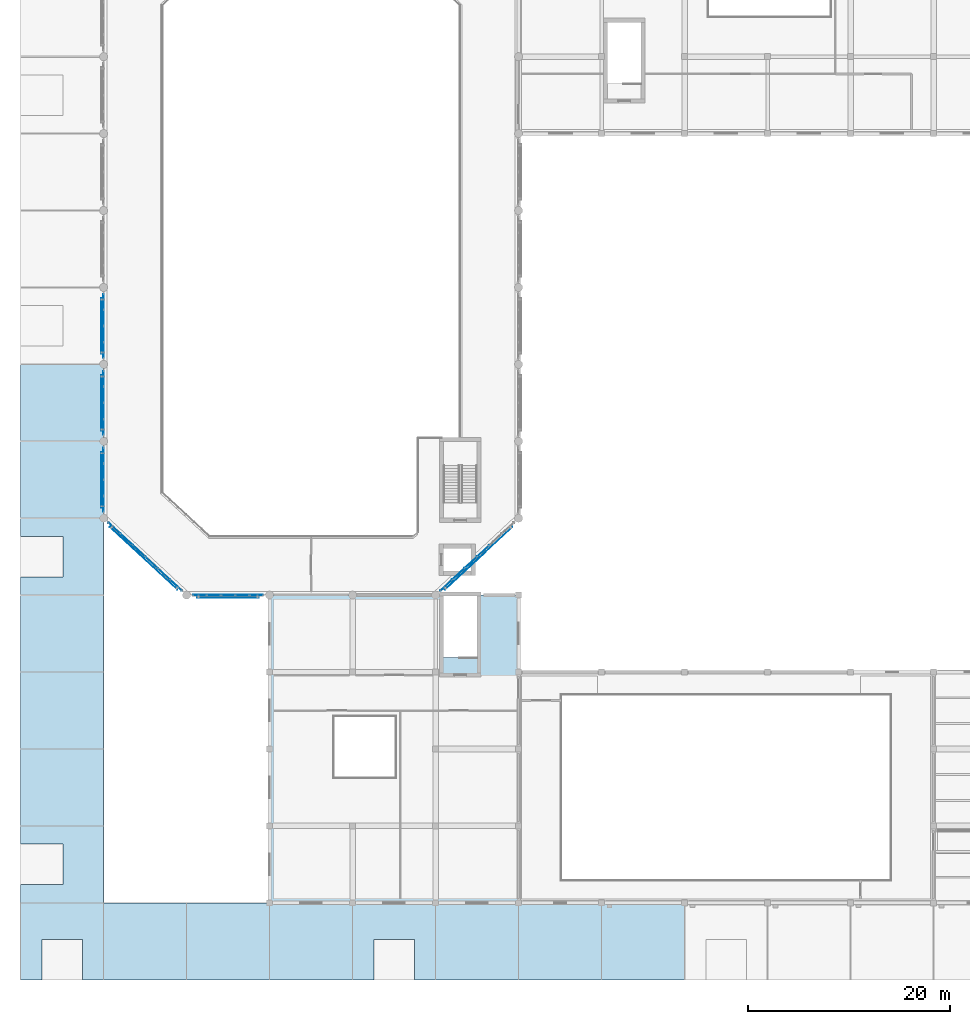
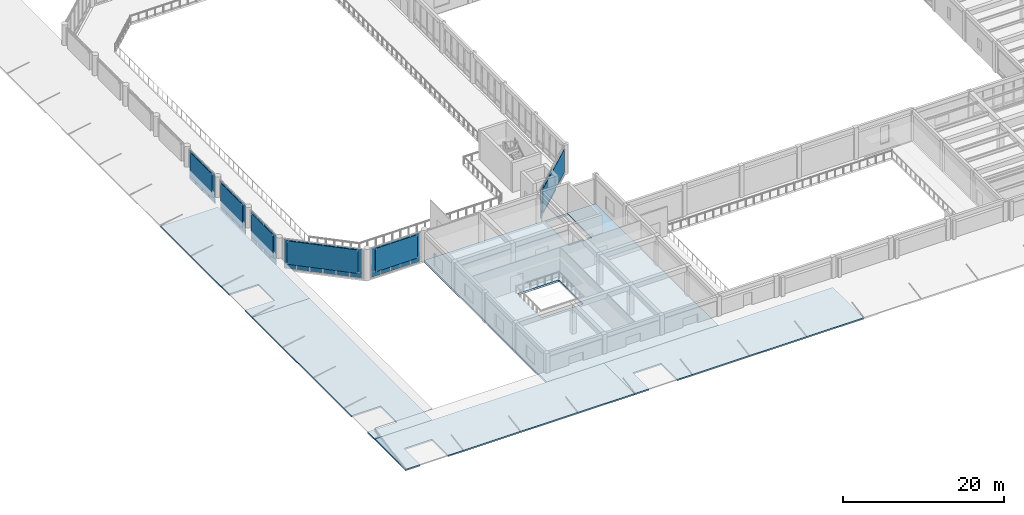
# One storey, part 28 of 57: 59 plates, 5 slabs, 6 elements without a shape of their own.
"""IFC4 building model written with IfcOpenShell, lengths in metres."""

from ifc_helpers import new_model, si_unit, direction, frame, origin, origin_2d, place, context, subcontext, project, spatial, polyline, rectangle, outline, extrude, material, layer, layer_set, type_object, element, aggregate, save


model = new_model("IFC4")

# Units and contexts
model_context = context("Model", 3, precision=1e-05, world=origin(), true_north=direction((0.0, 1.0)))
body_context = subcontext(model_context, "Body", "Model", "MODEL_VIEW")
ifc_project = project(units=[si_unit("LENGTHUNIT", "METRE"), si_unit("AREAUNIT", "SQUARE_METRE"), si_unit("VOLUMEUNIT", "CUBIC_METRE"), si_unit("PLANEANGLEUNIT", "RADIAN"), si_unit("MASSUNIT", "GRAM", prefix="KILO")], contexts=[model_context])

# Site, building, storey
site_placement = place(None, origin())
site = spatial("IfcSite", under=ifc_project, at=site_placement, CompositionType="ELEMENT")
building_placement = place(site_placement, origin())
building = spatial("IfcBuilding", under=site, at=building_placement, Name="Qandaris Square Conservatory and Botanical Centre", CompositionType="ELEMENT")
storey_placement = place(building_placement, frame((0.0, 0.0, 5.39990234375)))
storey = spatial("IfcBuildingStorey", under=building, at=storey_placement, Name="L01", CompositionType="ELEMENT", Elevation=5.39990234375)

# Curtain wall, plates
ifc_material_1 = material(Name="Anodised Aluminium", Category="aluminium")
curtain_wall_type_1 = type_object("IfcCurtainWallType", Name="Unitised Curtain Wall CW-1-704x452", PredefinedType="USERDEFINED", material=ifc_material_1)
curtain_wall_1_placement = place(storey_placement, origin())
curtain_wall_1 = element("IfcCurtainWall", 1, at=curtain_wall_1_placement, inside=storey, type_object=curtain_wall_type_1, Name="Curtain Wall CW-CON-L01-0W", ObjectType="GLAZED CURTAIN WALL", PredefinedType="USERDEFINED")
ifc_material_2 = material(Name="Tempered Low-E Glass", Category="glass")
ifc_layer_1 = layer(ifc_material_2, 0.0400390625)
ifc_layer_set_1 = layer_set([ifc_layer_1], Name="Tempered Low-E Glass")
plate_type_1 = type_object("IfcPlateType", Name="Conservatory Laminated Low-Iron Biome Glass 40mm", PredefinedType="CURTAIN_PANEL", material=ifc_layer_set_1)
plate_1_placement = place(storey_placement, frame((25.70263671875, 47.0, 0.0751953125), z_axis=(0.0, 0.0, 1.0), x_axis=(1.0, 0.0, 0.0)))
plate_1 = element("IfcPlate", 2, at=plate_1_placement, type_object=plate_type_1, Name="CW-1-704x452 panel 1.1", PredefinedType="CURTAIN_PANEL", context=body_context, shape_type="SweptSolid", body=[
    extrude(rectangle(XDim=1.29541015625, YDim=0.0400390625, at=origin_2d()), origin(), (0.0, 0.0, 1.0), 0.737548828125),
])
plate_2_placement = place(storey_placement, frame((25.70263671875, 47.0, 0.887451171875), z_axis=(0.0, 0.0, 1.0), x_axis=(1.0, 0.0, 0.0)))
plate_2 = element("IfcPlate", 3, at=plate_2_placement, type_object=plate_type_1, Name="CW-1-704x452 panel 1.2", PredefinedType="CURTAIN_PANEL", context=body_context, shape_type="SweptSolid", body=[
    extrude(rectangle(XDim=1.29541015625, YDim=0.0400390625, at=origin_2d()), origin(), (0.0, 0.0, 1.0), 3.5576171875),
])
plate_3_placement = place(storey_placement, frame((27.092041015625, 47.0, 0.0751953125), z_axis=(0.0, 0.0, 1.0), x_axis=(1.0, 0.0, 0.0)))
plate_3 = element("IfcPlate", 4, at=plate_3_placement, type_object=plate_type_1, Name="CW-1-704x452 panel 2.1", PredefinedType="CURTAIN_PANEL", context=body_context, shape_type="SweptSolid", body=[
    extrude(rectangle(XDim=1.3330078125, YDim=0.0400390625, at=origin_2d()), origin(), (0.0, 0.0, 1.0), 0.737548828125),
])
plate_4_placement = place(storey_placement, frame((27.092041015625, 47.0, 0.887451171875), z_axis=(0.0, 0.0, 1.0), x_axis=(1.0, 0.0, 0.0)))
plate_4 = element("IfcPlate", 5, at=plate_4_placement, type_object=plate_type_1, Name="CW-1-704x452 panel 2.2", PredefinedType="CURTAIN_PANEL", context=body_context, shape_type="SweptSolid", body=[
    extrude(rectangle(XDim=1.3330078125, YDim=0.0400390625, at=origin_2d()), origin(), (0.0, 0.0, 1.0), 3.5576171875),
])
plate_5_placement = place(storey_placement, frame((28.5, 47.0, 0.0751953125), z_axis=(0.0, 0.0, 1.0), x_axis=(1.0, 0.0, 0.0)))
plate_5 = element("IfcPlate", 6, at=plate_5_placement, type_object=plate_type_1, Name="CW-1-704x452 panel 3.1", PredefinedType="CURTAIN_PANEL", context=body_context, shape_type="SweptSolid", body=[
    extrude(rectangle(XDim=1.3330078125, YDim=0.0400390625, at=origin_2d()), origin(), (0.0, 0.0, 1.0), 0.737548828125),
])
plate_6_placement = place(storey_placement, frame((28.5, 47.0, 0.887451171875), z_axis=(0.0, 0.0, 1.0), x_axis=(1.0, 0.0, 0.0)))
plate_6 = element("IfcPlate", 7, at=plate_6_placement, type_object=plate_type_1, Name="CW-1-704x452 panel 3.2", PredefinedType="CURTAIN_PANEL", context=body_context, shape_type="SweptSolid", body=[
    extrude(rectangle(XDim=1.3330078125, YDim=0.0400390625, at=origin_2d()), origin(), (0.0, 0.0, 1.0), 3.5576171875),
])
plate_7_placement = place(storey_placement, frame((29.907958984375, 47.0, 0.0751953125), z_axis=(0.0, 0.0, 1.0), x_axis=(1.0, 0.0, 0.0)))
plate_7 = element("IfcPlate", 8, at=plate_7_placement, type_object=plate_type_1, Name="CW-1-704x452 panel 4.1", PredefinedType="CURTAIN_PANEL", context=body_context, shape_type="SweptSolid", body=[
    extrude(rectangle(XDim=1.3330078125, YDim=0.0400390625, at=origin_2d()), origin(), (0.0, 0.0, 1.0), 0.737548828125),
])
plate_8_placement = place(storey_placement, frame((29.907958984375, 47.0, 0.887451171875), z_axis=(0.0, 0.0, 1.0), x_axis=(1.0, 0.0, 0.0)))
plate_8 = element("IfcPlate", 9, at=plate_8_placement, type_object=plate_type_1, Name="CW-1-704x452 panel 4.2", PredefinedType="CURTAIN_PANEL", context=body_context, shape_type="SweptSolid", body=[
    extrude(rectangle(XDim=1.3330078125, YDim=0.0400390625, at=origin_2d()), origin(), (0.0, 0.0, 1.0), 3.5576171875),
])
plate_9_placement = place(storey_placement, frame((31.29736328125, 47.0, 0.0751953125), z_axis=(0.0, 0.0, 1.0), x_axis=(1.0, 0.0, 0.0)))
plate_9 = element("IfcPlate", 10, at=plate_9_placement, type_object=plate_type_1, Name="CW-1-704x452 panel 5.1", PredefinedType="CURTAIN_PANEL", context=body_context, shape_type="SweptSolid", body=[
    extrude(rectangle(XDim=1.29541015625, YDim=0.0400390625, at=origin_2d()), origin(), (0.0, 0.0, 1.0), 0.737548828125),
])
plate_10_placement = place(storey_placement, frame((31.29736328125, 47.0, 0.887451171875), z_axis=(0.0, 0.0, 1.0), x_axis=(1.0, 0.0, 0.0)))
plate_10 = element("IfcPlate", 11, at=plate_10_placement, type_object=plate_type_1, Name="CW-1-704x452 panel 5.2", PredefinedType="CURTAIN_PANEL", context=body_context, shape_type="SweptSolid", body=[
    extrude(rectangle(XDim=1.29541015625, YDim=0.0400390625, at=origin_2d()), origin(), (0.0, 0.0, 1.0), 3.5576171875),
])
aggregate(curtain_wall_1, [plate_1, plate_2, plate_3, plate_4, plate_5, plate_6, plate_7, plate_8, plate_9, plate_10])

curtain_wall_type_2 = type_object("IfcCurtainWallType", Name="Unitised Curtain Wall CW-1-1002x452", PredefinedType="USERDEFINED", material=ifc_material_1)
curtain_wall_2_placement = place(storey_placement, origin())
curtain_wall_2 = element("IfcCurtainWall", 12, at=curtain_wall_2_placement, inside=storey, type_object=curtain_wall_type_2, Name="Curtain Wall CW-CON-L01-2-1", ObjectType="GLAZED CURTAIN WALL", PredefinedType="USERDEFINED")
plate_11_placement = place(storey_placement, frame((50.051513671875, 47.974609375, 0.0751953125), z_axis=(0.0, 0.0, 1.0), x_axis=(0.733432966404, 0.679761784592, 0.0)))
plate_11 = element("IfcPlate", 13, at=plate_11_placement, type_object=plate_type_1, Name="CW-1-1002x452 panel 1.1", PredefinedType="CURTAIN_PANEL", context=body_context, shape_type="SweptSolid", body=[
    extrude(rectangle(XDim=1.5576171875, YDim=0.0400390625, at=origin_2d()), origin(), (0.0, 0.0, 1.0), 0.737548828125),
])
plate_12_placement = place(storey_placement, frame((50.051513671875, 47.974609375, 0.887451171875), z_axis=(0.0, 0.0, 1.0), x_axis=(0.733432966404, 0.679761784592, 0.0)))
plate_12 = element("IfcPlate", 14, at=plate_12_placement, type_object=plate_type_1, Name="CW-1-1002x452 panel 1.2", PredefinedType="CURTAIN_PANEL", context=body_context, shape_type="SweptSolid", body=[
    extrude(rectangle(XDim=1.5576171875, YDim=0.0400390625, at=origin_2d()), origin(), (0.0, 0.0, 1.0), 3.5576171875),
])
plate_13_placement = place(storey_placement, frame((51.2626953125, 49.09716796875, 0.0751953125), z_axis=(0.0, 0.0, 1.0), x_axis=(0.733432966404, 0.679761784592, 0.0)))
plate_13 = element("IfcPlate", 15, at=plate_13_placement, type_object=plate_type_1, Name="CW-1-1002x452 panel 2.1", PredefinedType="CURTAIN_PANEL", context=body_context, shape_type="SweptSolid", body=[
    extrude(rectangle(XDim=1.594970703125, YDim=0.0400390625, at=origin_2d()), origin(), (0.0, 0.0, 1.0), 0.737548828125),
])
plate_14_placement = place(storey_placement, frame((51.2626953125, 49.09716796875, 0.887451171875), z_axis=(0.0, 0.0, 1.0), x_axis=(0.733432966404, 0.679761784592, 0.0)))
plate_14 = element("IfcPlate", 16, at=plate_14_placement, type_object=plate_type_1, Name="CW-1-1002x452 panel 2.2", PredefinedType="CURTAIN_PANEL", context=body_context, shape_type="SweptSolid", body=[
    extrude(rectangle(XDim=1.594970703125, YDim=0.0400390625, at=origin_2d()), origin(), (0.0, 0.0, 1.0), 3.5576171875),
])
plate_15_placement = place(storey_placement, frame((52.487548828125, 50.232421875, 0.0751953125), z_axis=(0.0, 0.0, 1.0), x_axis=(0.733432966404, 0.679761784592, 0.0)))
plate_15 = element("IfcPlate", 17, at=plate_15_placement, type_object=plate_type_1, Name="CW-1-1002x452 panel 3.1", PredefinedType="CURTAIN_PANEL", context=body_context, shape_type="SweptSolid", body=[
    extrude(rectangle(XDim=1.594970703125, YDim=0.0400390625, at=origin_2d()), origin(), (0.0, 0.0, 1.0), 0.737548828125),
])
plate_16_placement = place(storey_placement, frame((52.487548828125, 50.232421875, 0.887451171875), z_axis=(0.0, 0.0, 1.0), x_axis=(0.733432966404, 0.679761784592, 0.0)))
plate_16 = element("IfcPlate", 18, at=plate_16_placement, type_object=plate_type_1, Name="CW-1-1002x452 panel 3.2", PredefinedType="CURTAIN_PANEL", context=body_context, shape_type="SweptSolid", body=[
    extrude(rectangle(XDim=1.594970703125, YDim=0.0400390625, at=origin_2d()), origin(), (0.0, 0.0, 1.0), 3.5576171875),
])
plate_17_placement = place(storey_placement, frame((53.71240234375, 51.36767578125, 0.0751953125), z_axis=(0.0, 0.0, 1.0), x_axis=(0.733432966404, 0.679761784592, 0.0)))
plate_17 = element("IfcPlate", 19, at=plate_17_placement, type_object=plate_type_1, Name="CW-1-1002x452 panel 4.1", PredefinedType="CURTAIN_PANEL", context=body_context, shape_type="SweptSolid", body=[
    extrude(rectangle(XDim=1.594970703125, YDim=0.0400390625, at=origin_2d()), origin(), (0.0, 0.0, 1.0), 0.737548828125),
])
aggregate(curtain_wall_2, [plate_11, plate_12, plate_13, plate_14, plate_15, plate_16, plate_17])

curtain_wall_type_3 = type_object("IfcCurtainWallType", Name="Unitised Curtain Wall CW-1-644x452", PredefinedType="USERDEFINED", material=ifc_material_1)
curtain_wall_3_placement = place(storey_placement, origin())
curtain_wall_3 = element("IfcCurtainWall", 20, at=curtain_wall_3_placement, inside=storey, type_object=curtain_wall_type_3, Name="Curtain Wall CW-CON-L01-7-5", ObjectType="GLAZED CURTAIN WALL", PredefinedType="USERDEFINED")
plate_18_placement = place(storey_placement, frame((16.199951171875, 75.996337890625, 0.0751953125), z_axis=(0.0, 0.0, 1.0), x_axis=(0.0, -1.0, 0.0)))
plate_18 = element("IfcPlate", 21, at=plate_18_placement, type_object=plate_type_1, Name="CW-1-644x452 panel 1.1", PredefinedType="CURTAIN_PANEL", context=body_context, shape_type="SweptSolid", body=[
    extrude(rectangle(XDim=1.49755859375, YDim=0.0400390625, at=origin_2d()), origin(), (0.0, 0.0, 1.0), 0.737548828125),
])
plate_19_placement = place(storey_placement, frame((16.199951171875, 75.996337890625, 0.887451171875), z_axis=(0.0, 0.0, 1.0), x_axis=(0.0, -1.0, 0.0)))
plate_19 = element("IfcPlate", 22, at=plate_19_placement, type_object=plate_type_1, Name="CW-1-644x452 panel 1.2", PredefinedType="CURTAIN_PANEL", context=body_context, shape_type="SweptSolid", body=[
    extrude(rectangle(XDim=1.49755859375, YDim=0.0400390625, at=origin_2d()), origin(), (0.0, 0.0, 1.0), 3.5576171875),
])
plate_20_placement = place(storey_placement, frame((16.199951171875, 74.405029296875, 0.0751953125), z_axis=(0.0, 0.0, 1.0), x_axis=(0.0, -1.0, 0.0)))
plate_20 = element("IfcPlate", 23, at=plate_20_placement, type_object=plate_type_1, Name="CW-1-644x452 panel 2.1", PredefinedType="CURTAIN_PANEL", context=body_context, shape_type="SweptSolid", body=[
    extrude(rectangle(XDim=1.534912109375, YDim=0.0400390625, at=origin_2d()), origin(), (0.0, 0.0, 1.0), 0.737548828125),
])
plate_21_placement = place(storey_placement, frame((16.199951171875, 74.405029296875, 0.887451171875), z_axis=(0.0, 0.0, 1.0), x_axis=(0.0, -1.0, 0.0)))
plate_21 = element("IfcPlate", 24, at=plate_21_placement, type_object=plate_type_1, Name="CW-1-644x452 panel 2.2", PredefinedType="CURTAIN_PANEL", context=body_context, shape_type="SweptSolid", body=[
    extrude(rectangle(XDim=1.534912109375, YDim=0.0400390625, at=origin_2d()), origin(), (0.0, 0.0, 1.0), 3.5576171875),
])
plate_22_placement = place(storey_placement, frame((16.199951171875, 72.794921875, 0.0751953125), z_axis=(0.0, 0.0, 1.0), x_axis=(0.0, -1.0, 0.0)))
plate_22 = element("IfcPlate", 25, at=plate_22_placement, type_object=plate_type_1, Name="CW-1-644x452 panel 3.1", PredefinedType="CURTAIN_PANEL", context=body_context, shape_type="SweptSolid", body=[
    extrude(rectangle(XDim=1.534912109375, YDim=0.0400390625, at=origin_2d()), origin(), (0.0, 0.0, 1.0), 0.737548828125),
])
plate_23_placement = place(storey_placement, frame((16.199951171875, 72.794921875, 0.887451171875), z_axis=(0.0, 0.0, 1.0), x_axis=(0.0, -1.0, 0.0)))
plate_23 = element("IfcPlate", 26, at=plate_23_placement, type_object=plate_type_1, Name="CW-1-644x452 panel 3.2", PredefinedType="CURTAIN_PANEL", context=body_context, shape_type="SweptSolid", body=[
    extrude(rectangle(XDim=1.534912109375, YDim=0.0400390625, at=origin_2d()), origin(), (0.0, 0.0, 1.0), 3.5576171875),
])
plate_24_placement = place(storey_placement, frame((16.199951171875, 71.203857421875, 0.0751953125), z_axis=(0.0, 0.0, 1.0), x_axis=(0.0, -1.0, 0.0)))
plate_24 = element("IfcPlate", 27, at=plate_24_placement, type_object=plate_type_1, Name="CW-1-644x452 panel 4.1", PredefinedType="CURTAIN_PANEL", context=body_context, shape_type="SweptSolid", body=[
    extrude(rectangle(XDim=1.49755859375, YDim=0.0400390625, at=origin_2d()), origin(), (0.0, 0.0, 1.0), 0.737548828125),
])
plate_25_placement = place(storey_placement, frame((16.199951171875, 71.203857421875, 0.887451171875), z_axis=(0.0, 0.0, 1.0), x_axis=(0.0, -1.0, 0.0)))
plate_25 = element("IfcPlate", 28, at=plate_25_placement, type_object=plate_type_1, Name="CW-1-644x452 panel 4.2", PredefinedType="CURTAIN_PANEL", context=body_context, shape_type="SweptSolid", body=[
    extrude(rectangle(XDim=1.49755859375, YDim=0.0400390625, at=origin_2d()), origin(), (0.0, 0.0, 1.0), 3.5576171875),
])
aggregate(curtain_wall_3, [plate_18, plate_19, plate_20, plate_21, plate_22, plate_23, plate_24, plate_25])

curtain_wall_4_placement = place(storey_placement, origin())
curtain_wall_4 = element("IfcCurtainWall", 29, at=curtain_wall_4_placement, inside=storey, type_object=curtain_wall_type_3, Name="Curtain Wall CW-CON-L01-7-6", ObjectType="GLAZED CURTAIN WALL", PredefinedType="USERDEFINED")
plate_26_placement = place(storey_placement, frame((16.199951171875, 68.396240234375, 0.0751953125), z_axis=(0.0, 0.0, 1.0), x_axis=(0.0, -1.0, 0.0)))
plate_26 = element("IfcPlate", 30, at=plate_26_placement, type_object=plate_type_1, Name="CW-1-644x452 panel 1.1", PredefinedType="CURTAIN_PANEL", context=body_context, shape_type="SweptSolid", body=[
    extrude(rectangle(XDim=1.49755859375, YDim=0.0400390625, at=origin_2d()), origin(), (0.0, 0.0, 1.0), 0.737548828125),
])
plate_27_placement = place(storey_placement, frame((16.199951171875, 68.396240234375, 0.887451171875), z_axis=(0.0, 0.0, 1.0), x_axis=(0.0, -1.0, 0.0)))
plate_27 = element("IfcPlate", 31, at=plate_27_placement, type_object=plate_type_1, Name="CW-1-644x452 panel 1.2", PredefinedType="CURTAIN_PANEL", context=body_context, shape_type="SweptSolid", body=[
    extrude(rectangle(XDim=1.49755859375, YDim=0.0400390625, at=origin_2d()), origin(), (0.0, 0.0, 1.0), 3.5576171875),
])
plate_28_placement = place(storey_placement, frame((16.199951171875, 66.804931640625, 0.0751953125), z_axis=(0.0, 0.0, 1.0), x_axis=(0.0, -1.0, 0.0)))
plate_28 = element("IfcPlate", 32, at=plate_28_placement, type_object=plate_type_1, Name="CW-1-644x452 panel 2.1", PredefinedType="CURTAIN_PANEL", context=body_context, shape_type="SweptSolid", body=[
    extrude(rectangle(XDim=1.534912109375, YDim=0.0400390625, at=origin_2d()), origin(), (0.0, 0.0, 1.0), 0.737548828125),
])
plate_29_placement = place(storey_placement, frame((16.199951171875, 66.804931640625, 0.887451171875), z_axis=(0.0, 0.0, 1.0), x_axis=(0.0, -1.0, 0.0)))
plate_29 = element("IfcPlate", 33, at=plate_29_placement, type_object=plate_type_1, Name="CW-1-644x452 panel 2.2", PredefinedType="CURTAIN_PANEL", context=body_context, shape_type="SweptSolid", body=[
    extrude(rectangle(XDim=1.534912109375, YDim=0.0400390625, at=origin_2d()), origin(), (0.0, 0.0, 1.0), 3.5576171875),
])
plate_30_placement = place(storey_placement, frame((16.199951171875, 65.195068359375, 0.0751953125), z_axis=(0.0, 0.0, 1.0), x_axis=(0.0, -1.0, 0.0)))
plate_30 = element("IfcPlate", 34, at=plate_30_placement, type_object=plate_type_1, Name="CW-1-644x452 panel 3.1", PredefinedType="CURTAIN_PANEL", context=body_context, shape_type="SweptSolid", body=[
    extrude(rectangle(XDim=1.534912109375, YDim=0.0400390625, at=origin_2d()), origin(), (0.0, 0.0, 1.0), 0.737548828125),
])
plate_31_placement = place(storey_placement, frame((16.199951171875, 65.195068359375, 0.887451171875), z_axis=(0.0, 0.0, 1.0), x_axis=(0.0, -1.0, 0.0)))
plate_31 = element("IfcPlate", 35, at=plate_31_placement, type_object=plate_type_1, Name="CW-1-644x452 panel 3.2", PredefinedType="CURTAIN_PANEL", context=body_context, shape_type="SweptSolid", body=[
    extrude(rectangle(XDim=1.534912109375, YDim=0.0400390625, at=origin_2d()), origin(), (0.0, 0.0, 1.0), 3.5576171875),
])
plate_32_placement = place(storey_placement, frame((16.199951171875, 63.603759765625, 0.0751953125), z_axis=(0.0, 0.0, 1.0), x_axis=(0.0, -1.0, 0.0)))
plate_32 = element("IfcPlate", 36, at=plate_32_placement, type_object=plate_type_1, Name="CW-1-644x452 panel 4.1", PredefinedType="CURTAIN_PANEL", context=body_context, shape_type="SweptSolid", body=[
    extrude(rectangle(XDim=1.49755859375, YDim=0.0400390625, at=origin_2d()), origin(), (0.0, 0.0, 1.0), 0.737548828125),
])
plate_33_placement = place(storey_placement, frame((16.199951171875, 63.603759765625, 0.887451171875), z_axis=(0.0, 0.0, 1.0), x_axis=(0.0, -1.0, 0.0)))
plate_33 = element("IfcPlate", 37, at=plate_33_placement, type_object=plate_type_1, Name="CW-1-644x452 panel 4.2", PredefinedType="CURTAIN_PANEL", context=body_context, shape_type="SweptSolid", body=[
    extrude(rectangle(XDim=1.49755859375, YDim=0.0400390625, at=origin_2d()), origin(), (0.0, 0.0, 1.0), 3.5576171875),
])
aggregate(curtain_wall_4, [plate_26, plate_27, plate_28, plate_29, plate_30, plate_31, plate_32, plate_33])

curtain_wall_5_placement = place(storey_placement, origin())
curtain_wall_5 = element("IfcCurtainWall", 38, at=curtain_wall_5_placement, inside=storey, type_object=curtain_wall_type_3, Name="Curtain Wall CW-CON-L01-7-7", ObjectType="GLAZED CURTAIN WALL", PredefinedType="USERDEFINED")
plate_34_placement = place(storey_placement, frame((16.199951171875, 60.796142578125, 0.0751953125), z_axis=(0.0, 0.0, 1.0), x_axis=(0.0, -1.0, 0.0)))
plate_34 = element("IfcPlate", 39, at=plate_34_placement, type_object=plate_type_1, Name="CW-1-644x452 panel 1.1", PredefinedType="CURTAIN_PANEL", context=body_context, shape_type="SweptSolid", body=[
    extrude(rectangle(XDim=1.49755859375, YDim=0.0400390625, at=origin_2d()), origin(), (0.0, 0.0, 1.0), 0.737548828125),
])
plate_35_placement = place(storey_placement, frame((16.199951171875, 60.796142578125, 0.887451171875), z_axis=(0.0, 0.0, 1.0), x_axis=(0.0, -1.0, 0.0)))
plate_35 = element("IfcPlate", 40, at=plate_35_placement, type_object=plate_type_1, Name="CW-1-644x452 panel 1.2", PredefinedType="CURTAIN_PANEL", context=body_context, shape_type="SweptSolid", body=[
    extrude(rectangle(XDim=1.49755859375, YDim=0.0400390625, at=origin_2d()), origin(), (0.0, 0.0, 1.0), 3.5576171875),
])
plate_36_placement = place(storey_placement, frame((16.199951171875, 59.205078125, 0.0751953125), z_axis=(0.0, 0.0, 1.0), x_axis=(0.0, -1.0, 0.0)))
plate_36 = element("IfcPlate", 41, at=plate_36_placement, type_object=plate_type_1, Name="CW-1-644x452 panel 2.1", PredefinedType="CURTAIN_PANEL", context=body_context, shape_type="SweptSolid", body=[
    extrude(rectangle(XDim=1.534912109375, YDim=0.0400390625, at=origin_2d()), origin(), (0.0, 0.0, 1.0), 0.737548828125),
])
plate_37_placement = place(storey_placement, frame((16.199951171875, 59.205078125, 0.887451171875), z_axis=(0.0, 0.0, 1.0), x_axis=(0.0, -1.0, 0.0)))
plate_37 = element("IfcPlate", 42, at=plate_37_placement, type_object=plate_type_1, Name="CW-1-644x452 panel 2.2", PredefinedType="CURTAIN_PANEL", context=body_context, shape_type="SweptSolid", body=[
    extrude(rectangle(XDim=1.534912109375, YDim=0.0400390625, at=origin_2d()), origin(), (0.0, 0.0, 1.0), 3.5576171875),
])
plate_38_placement = place(storey_placement, frame((16.199951171875, 57.594970703125, 0.0751953125), z_axis=(0.0, 0.0, 1.0), x_axis=(0.0, -1.0, 0.0)))
plate_38 = element("IfcPlate", 43, at=plate_38_placement, type_object=plate_type_1, Name="CW-1-644x452 panel 3.1", PredefinedType="CURTAIN_PANEL", context=body_context, shape_type="SweptSolid", body=[
    extrude(rectangle(XDim=1.534912109375, YDim=0.0400390625, at=origin_2d()), origin(), (0.0, 0.0, 1.0), 0.737548828125),
])
plate_39_placement = place(storey_placement, frame((16.199951171875, 57.594970703125, 0.887451171875), z_axis=(0.0, 0.0, 1.0), x_axis=(0.0, -1.0, 0.0)))
plate_39 = element("IfcPlate", 44, at=plate_39_placement, type_object=plate_type_1, Name="CW-1-644x452 panel 3.2", PredefinedType="CURTAIN_PANEL", context=body_context, shape_type="SweptSolid", body=[
    extrude(rectangle(XDim=1.534912109375, YDim=0.0400390625, at=origin_2d()), origin(), (0.0, 0.0, 1.0), 3.5576171875),
])
plate_40_placement = place(storey_placement, frame((16.199951171875, 56.003662109375, 0.0751953125), z_axis=(0.0, 0.0, 1.0), x_axis=(0.0, -1.0, 0.0)))
plate_40 = element("IfcPlate", 45, at=plate_40_placement, type_object=plate_type_1, Name="CW-1-644x452 panel 4.1", PredefinedType="CURTAIN_PANEL", context=body_context, shape_type="SweptSolid", body=[
    extrude(rectangle(XDim=1.49755859375, YDim=0.0400390625, at=origin_2d()), origin(), (0.0, 0.0, 1.0), 0.737548828125),
])
plate_41_placement = place(storey_placement, frame((16.199951171875, 56.003662109375, 0.887451171875), z_axis=(0.0, 0.0, 1.0), x_axis=(0.0, -1.0, 0.0)))
plate_41 = element("IfcPlate", 46, at=plate_41_placement, type_object=plate_type_1, Name="CW-1-644x452 panel 4.2", PredefinedType="CURTAIN_PANEL", context=body_context, shape_type="SweptSolid", body=[
    extrude(rectangle(XDim=1.49755859375, YDim=0.0400390625, at=origin_2d()), origin(), (0.0, 0.0, 1.0), 3.5576171875),
])
aggregate(curtain_wall_5, [plate_34, plate_35, plate_36, plate_37, plate_38, plate_39, plate_40, plate_41])

curtain_wall_6_placement = place(storey_placement, origin())
curtain_wall_6 = element("IfcCurtainWall", 47, at=curtain_wall_6_placement, inside=storey, type_object=curtain_wall_type_2, Name="Curtain Wall CW-CON-L01-8-1", ObjectType="GLAZED CURTAIN WALL", PredefinedType="USERDEFINED")
plate_42_placement = place(storey_placement, frame((17.25146484375, 53.625244140625, 0.0751953125), z_axis=(0.0, 0.0, 1.0), x_axis=(0.733432966404, -0.679761784592, 0.0)))
plate_42 = element("IfcPlate", 48, at=plate_42_placement, type_object=plate_type_1, Name="CW-1-1002x452 panel 1.1", PredefinedType="CURTAIN_PANEL", context=body_context, shape_type="SweptSolid", body=[
    extrude(rectangle(XDim=1.5576171875, YDim=0.0400390625, at=origin_2d()), origin(), (0.0, 0.0, 1.0), 0.737548828125),
])
plate_43_placement = place(storey_placement, frame((17.25146484375, 53.625244140625, 0.887451171875), z_axis=(0.0, 0.0, 1.0), x_axis=(0.733432966404, -0.679761784592, 0.0)))
plate_43 = element("IfcPlate", 49, at=plate_43_placement, type_object=plate_type_1, Name="CW-1-1002x452 panel 1.2", PredefinedType="CURTAIN_PANEL", context=body_context, shape_type="SweptSolid", body=[
    extrude(rectangle(XDim=1.5576171875, YDim=0.0400390625, at=origin_2d()), origin(), (0.0, 0.0, 1.0), 3.5576171875),
])
plate_44_placement = place(storey_placement, frame((18.462646484375, 52.5029296875, 0.0751953125), z_axis=(0.0, 0.0, 1.0), x_axis=(0.733432966404, -0.679761784592, 0.0)))
plate_44 = element("IfcPlate", 50, at=plate_44_placement, type_object=plate_type_1, Name="CW-1-1002x452 panel 2.1", PredefinedType="CURTAIN_PANEL", context=body_context, shape_type="SweptSolid", body=[
    extrude(rectangle(XDim=1.594970703125, YDim=0.0400390625, at=origin_2d()), origin(), (0.0, 0.0, 1.0), 0.737548828125),
])
plate_45_placement = place(storey_placement, frame((18.462646484375, 52.5029296875, 0.887451171875), z_axis=(0.0, 0.0, 1.0), x_axis=(0.733432966404, -0.679761784592, 0.0)))
plate_45 = element("IfcPlate", 51, at=plate_45_placement, type_object=plate_type_1, Name="CW-1-1002x452 panel 2.2", PredefinedType="CURTAIN_PANEL", context=body_context, shape_type="SweptSolid", body=[
    extrude(rectangle(XDim=1.594970703125, YDim=0.0400390625, at=origin_2d()), origin(), (0.0, 0.0, 1.0), 3.5576171875),
])
plate_46_placement = place(storey_placement, frame((19.6875, 51.36767578125, 0.0751953125), z_axis=(0.0, 0.0, 1.0), x_axis=(0.733432966404, -0.679761784592, 0.0)))
plate_46 = element("IfcPlate", 52, at=plate_46_placement, type_object=plate_type_1, Name="CW-1-1002x452 panel 3.1", PredefinedType="CURTAIN_PANEL", context=body_context, shape_type="SweptSolid", body=[
    extrude(rectangle(XDim=1.594970703125, YDim=0.0400390625, at=origin_2d()), origin(), (0.0, 0.0, 1.0), 0.737548828125),
])
plate_47_placement = place(storey_placement, frame((19.6875, 51.36767578125, 0.887451171875), z_axis=(0.0, 0.0, 1.0), x_axis=(0.733432966404, -0.679761784592, 0.0)))
plate_47 = element("IfcPlate", 53, at=plate_47_placement, type_object=plate_type_1, Name="CW-1-1002x452 panel 3.2", PredefinedType="CURTAIN_PANEL", context=body_context, shape_type="SweptSolid", body=[
    extrude(rectangle(XDim=1.594970703125, YDim=0.0400390625, at=origin_2d()), origin(), (0.0, 0.0, 1.0), 3.5576171875),
])
plate_48_placement = place(storey_placement, frame((20.912353515625, 50.232421875, 0.0751953125), z_axis=(0.0, 0.0, 1.0), x_axis=(0.733432966404, -0.679761784592, 0.0)))
plate_48 = element("IfcPlate", 54, at=plate_48_placement, type_object=plate_type_1, Name="CW-1-1002x452 panel 4.1", PredefinedType="CURTAIN_PANEL", context=body_context, shape_type="SweptSolid", body=[
    extrude(rectangle(XDim=1.594970703125, YDim=0.0400390625, at=origin_2d()), origin(), (0.0, 0.0, 1.0), 0.737548828125),
])
plate_49_placement = place(storey_placement, frame((20.912353515625, 50.232421875, 0.887451171875), z_axis=(0.0, 0.0, 1.0), x_axis=(0.733432966404, -0.679761784592, 0.0)))
plate_49 = element("IfcPlate", 55, at=plate_49_placement, type_object=plate_type_1, Name="CW-1-1002x452 panel 4.2", PredefinedType="CURTAIN_PANEL", context=body_context, shape_type="SweptSolid", body=[
    extrude(rectangle(XDim=1.594970703125, YDim=0.0400390625, at=origin_2d()), origin(), (0.0, 0.0, 1.0), 3.5576171875),
])
plate_50_placement = place(storey_placement, frame((22.13720703125, 49.09716796875, 0.0751953125), z_axis=(0.0, 0.0, 1.0), x_axis=(0.733432966404, -0.679761784592, 0.0)))
plate_50 = element("IfcPlate", 56, at=plate_50_placement, type_object=plate_type_1, Name="CW-1-1002x452 panel 5.1", PredefinedType="CURTAIN_PANEL", context=body_context, shape_type="SweptSolid", body=[
    extrude(rectangle(XDim=1.594970703125, YDim=0.0400390625, at=origin_2d()), origin(), (0.0, 0.0, 1.0), 0.737548828125),
])
plate_51_placement = place(storey_placement, frame((22.13720703125, 49.09716796875, 0.887451171875), z_axis=(0.0, 0.0, 1.0), x_axis=(0.733432966404, -0.679761784592, 0.0)))
plate_51 = element("IfcPlate", 57, at=plate_51_placement, type_object=plate_type_1, Name="CW-1-1002x452 panel 5.2", PredefinedType="CURTAIN_PANEL", context=body_context, shape_type="SweptSolid", body=[
    extrude(rectangle(XDim=1.594970703125, YDim=0.0400390625, at=origin_2d()), origin(), (0.0, 0.0, 1.0), 3.5576171875),
])
plate_52_placement = place(storey_placement, frame((23.348388671875, 47.974609375, 0.0751953125), z_axis=(0.0, 0.0, 1.0), x_axis=(0.733432966404, -0.679761784592, 0.0)))
plate_52 = element("IfcPlate", 58, at=plate_52_placement, type_object=plate_type_1, Name="CW-1-1002x452 panel 6.1", PredefinedType="CURTAIN_PANEL", context=body_context, shape_type="SweptSolid", body=[
    extrude(rectangle(XDim=1.5576171875, YDim=0.0400390625, at=origin_2d()), origin(), (0.0, 0.0, 1.0), 0.737548828125),
])
plate_53_placement = place(storey_placement, frame((23.348388671875, 47.974609375, 0.887451171875), z_axis=(0.0, 0.0, 1.0), x_axis=(0.733432966404, -0.679761784592, 0.0)))
plate_53 = element("IfcPlate", 59, at=plate_53_placement, type_object=plate_type_1, Name="CW-1-1002x452 panel 6.2", PredefinedType="CURTAIN_PANEL", context=body_context, shape_type="SweptSolid", body=[
    extrude(rectangle(XDim=1.5576171875, YDim=0.0400390625, at=origin_2d()), origin(), (0.0, 0.0, 1.0), 3.5576171875),
])
aggregate(curtain_wall_6, [plate_42, plate_43, plate_44, plate_45, plate_46, plate_47, plate_48, plate_49, plate_50, plate_51, plate_52, plate_53])

# Plates
ifc_material_3 = material(Name="Weathering Bronze Alloy", Category="metal")
ifc_layer_2 = layer(ifc_material_3, 0.044921875)
ifc_layer_set_2 = layer_set([ifc_layer_2], Name="Weathering Bronze Alloy")
plate_type_2 = type_object("IfcPlateType", Name="Perforated Bronze Mashrabiya Solar Screen Panel", PredefinedType="USERDEFINED", material=ifc_layer_set_2)
plate_54_placement = place(storey_placement, frame((28.5, 46.780029296875, 0.8798828125), z_axis=(0.0, 0.0, 1.0), x_axis=(1.0, 0.0, 0.0)))
element("IfcPlate", 60, at=plate_54_placement, inside=storey, type_object=plate_type_2, Name="Mashrabiya Solar Screen CW-CON-L01-0W", ObjectType="SOLAR SCREEN", PredefinedType="USERDEFINED", context=body_context, shape_type="SweptSolid", body=[
    extrude(rectangle(XDim=6.080078125, YDim=0.044921875, at=origin_2d()), origin(), (0.0, 0.0, 1.0), 3.550048828125),
])
plate_55_placement = place(storey_placement, frame((53.24951171875, 50.638671875, 0.8798828125), z_axis=(0.0, 0.0, 1.0), x_axis=(0.733432966404, 0.679761784592, 0.0)))
element("IfcPlate", 61, at=plate_55_placement, inside=storey, type_object=plate_type_2, Name="Mashrabiya Solar Screen CW-CON-L01-2-1", ObjectType="SOLAR SCREEN", PredefinedType="USERDEFINED", context=body_context, shape_type="SweptSolid", body=[
    extrude(rectangle(XDim=9.060302734375, YDim=0.044921875, at=origin_2d()), origin(), (0.0, 0.0, 1.0), 3.550048828125),
])
for number, where, z_axis, x_axis, name in (
    (62, (15.97998046875, 73.60009765625, 0.8798828125), (0.0, 0.0, 1.0), (0.0, -1.0, 0.0), "Mashrabiya Solar Screen CW-CON-L01-7-5"),
    (63, (15.97998046875, 66.0, 0.8798828125), (0.0, 0.0, 1.0), (0.0, -1.0, 0.0), "Mashrabiya Solar Screen CW-CON-L01-7-6"),
    (64, (15.97998046875, 58.39990234375, 0.8798828125), (0.0, 0.0, 1.0), (0.0, -1.0, 0.0), "Mashrabiya Solar Screen CW-CON-L01-7-7"),
):
    element("IfcPlate", number, at=place(storey_placement, frame(where, z_axis=z_axis, x_axis=x_axis)), inside=storey, type_object=plate_type_2, Name=name, ObjectType="SOLAR SCREEN", PredefinedType="USERDEFINED", context=body_context, shape_type="SweptSolid", body=[
        extrude(rectangle(XDim=5.47998046875, YDim=0.044921875, at=origin_2d()), origin(), (0.0, 0.0, 1.0), 3.550048828125),
    ])
plate_56_placement = place(storey_placement, frame((20.150390625, 50.638671875, 0.8798828125), z_axis=(0.0, 0.0, 1.0), x_axis=(0.733432966404, -0.679761784592, 0.0)))
element("IfcPlate", 65, at=plate_56_placement, inside=storey, type_object=plate_type_2, Name="Mashrabiya Solar Screen CW-CON-L01-8-1", ObjectType="SOLAR SCREEN", PredefinedType="USERDEFINED", context=body_context, shape_type="SweptSolid", body=[
    extrude(rectangle(XDim=9.060302734375, YDim=0.044921875, at=origin_2d()), origin(), (0.0, 0.0, 1.0), 3.550048828125),
])

# Slabs
ifc_material_4 = material(Name="Concrete C40/50", Category="concrete")
ifc_layer_3 = layer(ifc_material_4, 0.22509765625)
ifc_layer_set_3 = layer_set([ifc_layer_3], Name="Concrete C40/50")
slab_type_1 = type_object("IfcSlabType", Name="RC Flat Roof Slab 225mm", PredefinedType="ROOF", material=ifc_layer_set_3)
slab_1_placement = place(storey_placement, frame((0.0, 0.0, -0.224853515625)))
element("IfcSlab", 66, at=slab_1_placement, inside=storey, type_object=slab_type_1, Name="Square Colonnade Structural Canopy Deck COLS-1", PredefinedType="ROOF", context=body_context, shape_type="SweptSolid", body=[
    extrude(outline(polyline([(8.0, 9.0), (8.0, 16.60009765625), (40.800048828125, 16.60009765625), (40.800048828125, 9.0), (14.10009765625, 9.0), (14.10009765625, 13.0), (10.10009765625, 13.0), (10.10009765625, 9.0), (8.0, 9.0)])), origin(), (0.0, 0.0, 1.0), 0.224853515625),
])
slab_2_placement = place(storey_placement, frame((0.0, 0.0, -0.224853515625)))
element("IfcSlab", 67, at=slab_2_placement, inside=storey, type_object=slab_type_1, Name="Square Colonnade Structural Canopy Deck COLS-2", PredefinedType="ROOF", context=body_context, shape_type="SweptSolid", body=[
    extrude(outline(polyline([(40.800048828125, 9.0), (40.800048828125, 16.60009765625), (73.60009765625, 16.60009765625), (73.60009765625, 9.0), (46.89990234375, 9.0), (46.89990234375, 13.0), (42.89990234375, 13.0), (42.89990234375, 9.0), (40.800048828125, 9.0)])), origin(), (0.0, 0.0, 1.0), 0.224853515625),
])
slab_3_placement = place(storey_placement, frame((0.0, 0.0, -0.224853515625)))
element("IfcSlab", 68, at=slab_3_placement, inside=storey, type_object=slab_type_1, Name="Square Colonnade Structural Canopy Deck COLW-1", PredefinedType="ROOF", context=body_context, shape_type="SweptSolid", body=[
    extrude(outline(polyline([(8.0, 47.0), (16.199951171875, 47.0), (16.199951171875, 16.60009765625), (8.0, 16.60009765625), (8.0, 18.39990234375), (12.199951171875, 18.39990234375), (12.199951171875, 22.39990234375), (8.0, 22.39990234375), (8.0, 47.0)])), origin(), (0.0, 0.0, 1.0), 0.224853515625),
])
slab_4_placement = place(storey_placement, frame((0.0, 0.0, -0.224853515625)))
element("IfcSlab", 69, at=slab_4_placement, inside=storey, type_object=slab_type_1, Name="Square Colonnade Structural Canopy Deck COLW-2", PredefinedType="ROOF", context=body_context, shape_type="SweptSolid", body=[
    extrude(outline(polyline([(8.0, 69.800048828125), (16.199951171875, 69.800048828125), (16.199951171875, 47.0), (8.0, 47.0), (8.0, 48.800048828125), (12.199951171875, 48.800048828125), (12.199951171875, 52.800048828125), (8.0, 52.800048828125), (8.0, 69.800048828125)])), origin(), (0.0, 0.0, 1.0), 0.224853515625),
])
ifc_layer_4 = layer(ifc_material_4, 0.300048828125)
ifc_layer_set_4 = layer_set([ifc_layer_4], Name="Concrete C40/50")
slab_type_2 = type_object("IfcSlabType", Name="RC Structural Slab 300mm", PredefinedType="FLOOR", material=ifc_layer_set_4)
slab_5_placement = place(storey_placement, frame((0.0, 0.0, -0.2998046875)))
element("IfcSlab", 70, at=slab_5_placement, inside=storey, type_object=slab_type_2, Name="L01 Structural Slab V3AL01", PredefinedType="FLOOR", context=body_context, shape_type="SweptSolid", body=[
    extrude(outline(polyline([(32.60009765625, 47.0), (57.199951171875, 47.0), (57.199951171875, 16.60009765625), (32.60009765625, 16.60009765625), (32.60009765625, 47.0)]), holes=[polyline([(39.0, 35.0), (39.0, 29.0), (45.0, 29.0), (45.0, 35.0), (39.0, 35.0)]), polyline([(53.10009765625, 46.89990234375), (49.800048828125, 46.89990234375), (49.800048828125, 40.85009765625), (53.10009765625, 40.85009765625), (53.10009765625, 46.89990234375)])]), origin(), (0.0, 0.0, 1.0), 0.2998046875),
])

save(model, "model.ifc")
